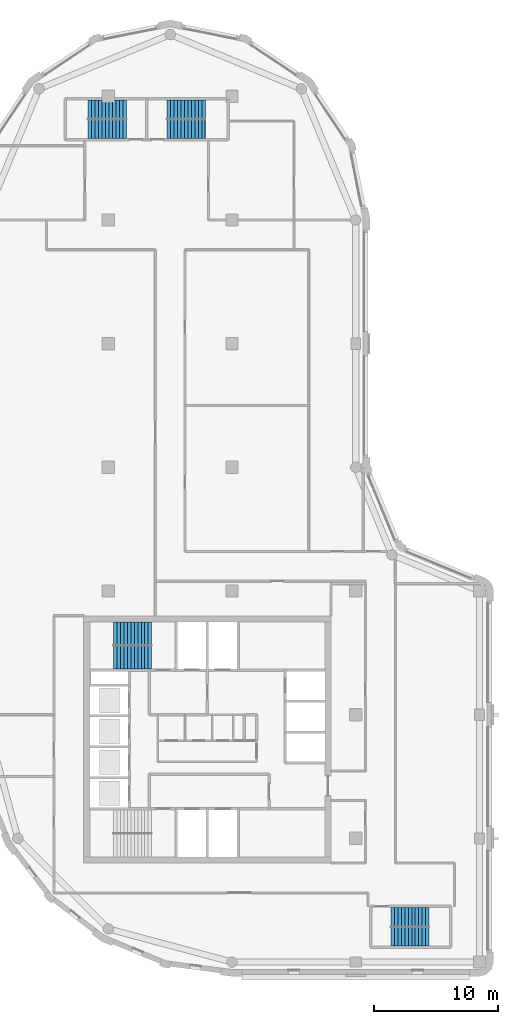
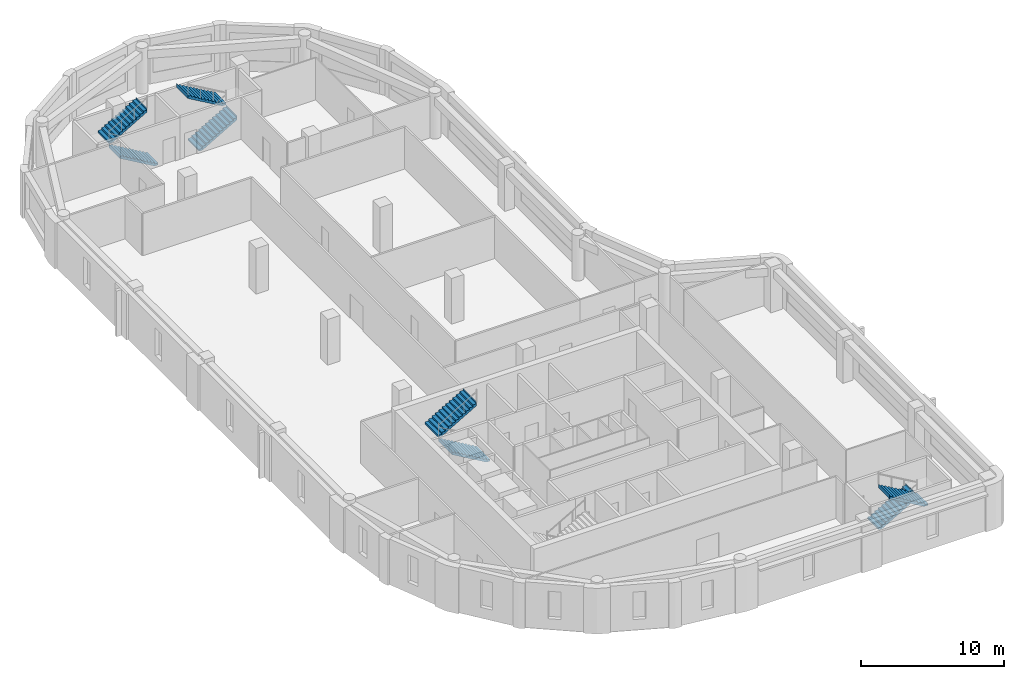
# One storey, part 6 of 8: 8 stair flights, 4 elements without a shape of their own.
"""IFC4 building model written with IfcOpenShell, lengths in metres."""

from ifc_helpers import new_model, si_unit, direction, frame, origin, place, context, subcontext, project, spatial, polyline, outline, extrude, material, type_object, element, aggregate, save


model = new_model("IFC4")

# Units and contexts
model_context = context("Model", 3, precision=1e-05, world=origin(), true_north=direction((0.0, 1.0)))
body_context = subcontext(model_context, "Body", "Model", "MODEL_VIEW")
ifc_project = project(units=[si_unit("LENGTHUNIT", "METRE"), si_unit("AREAUNIT", "SQUARE_METRE"), si_unit("VOLUMEUNIT", "CUBIC_METRE"), si_unit("PLANEANGLEUNIT", "RADIAN"), si_unit("MASSUNIT", "GRAM", prefix="KILO")], contexts=[model_context])

# Site, building, storey
site_placement = place(None, origin())
site = spatial("IfcSite", under=ifc_project, at=site_placement, CompositionType="ELEMENT")
building_placement = place(site_placement, origin())
building = spatial("IfcBuilding", under=site, at=building_placement, Name="Qaws Garden Tower", CompositionType="ELEMENT")
storey_placement = place(building_placement, frame((0.0, 0.0, 345.0)))
storey = spatial("IfcBuildingStorey", under=building, at=storey_placement, Name="L84", CompositionType="ELEMENT", Elevation=345.0)

# Stair, stair flights
ifc_material_1 = material(Name="Concrete C40", Category="concrete")
stair_type_1 = type_object("IfcStairType", Name="Exit stair 1350", PredefinedType="HALF_TURN_STAIR", material=ifc_material_1)
placement = place(storey_placement, origin())
stair_1 = element("IfcStair", 1, at=placement, inside=storey, type_object=stair_type_1, Name="Stair 5", PredefinedType="HALF_TURN_STAIR")
ifc_material_2 = material(Name="Concrete C40", Category="concrete")
stair_flight_type_1 = type_object("IfcStairFlightType", Name="Stair flight 1350", PredefinedType="STRAIGHT", material=ifc_material_2)
stair_flight_1_placement = place(storey_placement, frame((32.85009765625, 3.625, 0.0), z_axis=(0.0, 0.0, 1.0), x_axis=(1.0, 0.0, 0.0)))
stair_flight_1 = element("IfcStairFlight", 2, at=stair_flight_1_placement, type_object=stair_flight_type_1, Name="ST5 flight 1", NumberOfRisers=12, NumberOfTreads=11, PredefinedType="STRAIGHT", RiserHeight=0.1625, TreadLength=0.28, context=body_context, shape_type="SweptSolid", body=[
    extrude(outline(polyline([(-0.0029296875, 0.0), (-0.0029296875, 0.16259765625), (0.0, 0.16259765625), (0.280029296875, 0.16259765625), (0.280029296875, 0.324951171875), (0.56005859375, 0.324951171875), (0.56005859375, 0.487548828125), (0.840087890625, 0.487548828125), (0.840087890625, 0.64990234375), (1.1201171875, 0.64990234375), (1.1201171875, 0.8125), (1.39990234375, 0.8125), (1.39990234375, 0.97509765625), (1.679931640625, 0.97509765625), (1.679931640625, 1.137451171875), (1.9599609375, 1.137451171875), (1.9599609375, 1.300048828125), (2.239990234375, 1.300048828125), (2.239990234375, 1.46240234375), (2.52001953125, 1.46240234375), (2.52001953125, 1.625), (2.800048828125, 1.625), (2.800048828125, 1.78759765625), (3.080078125, 1.78759765625), (3.080078125, 1.949951171875), (3.0830078125, 1.949951171875), (3.0830078125, 1.6142578125), (3.080078125, 1.6142578125), (0.298583984375, 0.0), (-0.0029296875, 0.0)])), frame((0.0, 0.77490234375, 0.0), z_axis=(0.0, -1.0, 0.0), x_axis=(1.0, 0.0, 0.0)), (0.0, 0.0, 1.0), 1.550048828125),
])
stair_flight_2_placement = place(storey_placement, frame((35.929931640625, 2.074951171875, 1.949951171875), z_axis=(0.0, 0.0, 1.0), x_axis=(-1.0, 0.0, 0.0)))
stair_flight_2 = element("IfcStairFlight", 3, at=stair_flight_2_placement, type_object=stair_flight_type_1, Name="ST5 flight 2", NumberOfRisers=12, NumberOfTreads=11, PredefinedType="STRAIGHT", RiserHeight=0.1625, TreadLength=0.28, context=body_context, shape_type="SweptSolid", body=[
    extrude(outline(polyline([(-0.0029296875, 0.0), (-0.0029296875, 0.16259765625), (0.0, 0.16259765625), (0.280029296875, 0.16259765625), (0.280029296875, 0.324951171875), (0.56005859375, 0.324951171875), (0.56005859375, 0.487548828125), (0.840087890625, 0.487548828125), (0.840087890625, 0.64990234375), (1.1201171875, 0.64990234375), (1.1201171875, 0.8125), (1.39990234375, 0.8125), (1.39990234375, 0.97509765625), (1.679931640625, 0.97509765625), (1.679931640625, 1.137451171875), (1.9599609375, 1.137451171875), (1.9599609375, 1.300048828125), (2.239990234375, 1.300048828125), (2.239990234375, 1.46240234375), (2.52001953125, 1.46240234375), (2.52001953125, 1.625), (2.800048828125, 1.625), (2.800048828125, 1.78759765625), (3.080078125, 1.78759765625), (3.080078125, 1.949951171875), (3.0830078125, 1.949951171875), (3.0830078125, 1.6142578125), (3.080078125, 1.6142578125), (0.298583984375, 0.0), (-0.0029296875, 0.0)])), frame((0.0, 0.77490234375, 0.0), z_axis=(0.0, -1.0, 0.0), x_axis=(1.0, 0.0, 0.0)), (0.0, 0.0, 1.0), 1.550048828125),
])
aggregate(stair_1, [stair_flight_1, stair_flight_2])

stair_2 = element("IfcStair", 4, at=placement, inside=storey, type_object=stair_type_1, Name="Stair 6", PredefinedType="HALF_TURN_STAIR")
stair_flight_3_placement = place(storey_placement, frame((11.449951171875, 67.375, 0.0), z_axis=(0.0, 0.0, 1.0), x_axis=(-1.0, 0.0, 0.0)))
stair_flight_3 = element("IfcStairFlight", 5, at=stair_flight_3_placement, type_object=stair_flight_type_1, Name="ST6 flight 1", NumberOfRisers=12, NumberOfTreads=11, PredefinedType="STRAIGHT", RiserHeight=0.1625, TreadLength=0.28, context=body_context, shape_type="SweptSolid", body=[
    extrude(outline(polyline([(-0.0029296875, 0.0), (-0.0029296875, 0.16259765625), (0.0, 0.16259765625), (0.280029296875, 0.16259765625), (0.280029296875, 0.324951171875), (0.56005859375, 0.324951171875), (0.56005859375, 0.487548828125), (0.840087890625, 0.487548828125), (0.840087890625, 0.64990234375), (1.1201171875, 0.64990234375), (1.1201171875, 0.8125), (1.39990234375, 0.8125), (1.39990234375, 0.97509765625), (1.679931640625, 0.97509765625), (1.679931640625, 1.137451171875), (1.9599609375, 1.137451171875), (1.9599609375, 1.300048828125), (2.239990234375, 1.300048828125), (2.239990234375, 1.46240234375), (2.52001953125, 1.46240234375), (2.52001953125, 1.625), (2.800048828125, 1.625), (2.800048828125, 1.78759765625), (3.080078125, 1.78759765625), (3.080078125, 1.949951171875), (3.0830078125, 1.949951171875), (3.0830078125, 1.6142578125), (3.080078125, 1.6142578125), (0.298583984375, 0.0), (-0.0029296875, 0.0)])), frame((0.0, 0.77490234375, 0.0), z_axis=(0.0, -1.0, 0.0), x_axis=(1.0, 0.0, 0.0)), (0.0, 0.0, 1.0), 1.550048828125),
])
stair_flight_4_placement = place(storey_placement, frame((8.3701171875, 68.925048828125, 1.949951171875), z_axis=(0.0, 0.0, 1.0), x_axis=(1.0, 0.0, 0.0)))
stair_flight_4 = element("IfcStairFlight", 6, at=stair_flight_4_placement, type_object=stair_flight_type_1, Name="ST6 flight 2", NumberOfRisers=12, NumberOfTreads=11, PredefinedType="STRAIGHT", RiserHeight=0.1625, TreadLength=0.28, context=body_context, shape_type="SweptSolid", body=[
    extrude(outline(polyline([(-0.0029296875, 0.0), (-0.0029296875, 0.16259765625), (0.0, 0.16259765625), (0.280029296875, 0.16259765625), (0.280029296875, 0.324951171875), (0.56005859375, 0.324951171875), (0.56005859375, 0.487548828125), (0.840087890625, 0.487548828125), (0.840087890625, 0.64990234375), (1.1201171875, 0.64990234375), (1.1201171875, 0.8125), (1.39990234375, 0.8125), (1.39990234375, 0.97509765625), (1.679931640625, 0.97509765625), (1.679931640625, 1.137451171875), (1.9599609375, 1.137451171875), (1.9599609375, 1.300048828125), (2.239990234375, 1.300048828125), (2.239990234375, 1.46240234375), (2.52001953125, 1.46240234375), (2.52001953125, 1.625), (2.800048828125, 1.625), (2.800048828125, 1.78759765625), (3.080078125, 1.78759765625), (3.080078125, 1.949951171875), (3.0830078125, 1.949951171875), (3.0830078125, 1.6142578125), (3.080078125, 1.6142578125), (0.298583984375, 0.0), (-0.0029296875, 0.0)])), frame((0.0, 0.77490234375, 0.0), z_axis=(0.0, -1.0, 0.0), x_axis=(1.0, 0.0, 0.0)), (0.0, 0.0, 1.0), 1.550048828125),
])
aggregate(stair_2, [stair_flight_3, stair_flight_4])

stair_3 = element("IfcStair", 7, at=placement, inside=storey, type_object=stair_type_1, Name="Stair 7", PredefinedType="HALF_TURN_STAIR")
stair_flight_5_placement = place(storey_placement, frame((14.75, 67.375, 0.0), z_axis=(0.0, 0.0, 1.0), x_axis=(1.0, 0.0, 0.0)))
stair_flight_5 = element("IfcStairFlight", 8, at=stair_flight_5_placement, type_object=stair_flight_type_1, Name="ST7 flight 1", NumberOfRisers=12, NumberOfTreads=11, PredefinedType="STRAIGHT", RiserHeight=0.1625, TreadLength=0.28, context=body_context, shape_type="SweptSolid", body=[
    extrude(outline(polyline([(-0.0029296875, 0.0), (-0.0029296875, 0.16259765625), (0.0, 0.16259765625), (0.280029296875, 0.16259765625), (0.280029296875, 0.324951171875), (0.56005859375, 0.324951171875), (0.56005859375, 0.487548828125), (0.840087890625, 0.487548828125), (0.840087890625, 0.64990234375), (1.1201171875, 0.64990234375), (1.1201171875, 0.8125), (1.39990234375, 0.8125), (1.39990234375, 0.97509765625), (1.679931640625, 0.97509765625), (1.679931640625, 1.137451171875), (1.9599609375, 1.137451171875), (1.9599609375, 1.300048828125), (2.239990234375, 1.300048828125), (2.239990234375, 1.46240234375), (2.52001953125, 1.46240234375), (2.52001953125, 1.625), (2.800048828125, 1.625), (2.800048828125, 1.78759765625), (3.080078125, 1.78759765625), (3.080078125, 1.949951171875), (3.0830078125, 1.949951171875), (3.0830078125, 1.6142578125), (3.080078125, 1.6142578125), (0.298583984375, 0.0), (-0.0029296875, 0.0)])), frame((0.0, 0.77490234375, 0.0), z_axis=(0.0, -1.0, 0.0), x_axis=(1.0, 0.0, 0.0)), (0.0, 0.0, 1.0), 1.550048828125),
])
stair_flight_6_placement = place(storey_placement, frame((17.830078125, 68.925048828125, 1.949951171875), z_axis=(0.0, 0.0, 1.0), x_axis=(-1.0, 0.0, 0.0)))
stair_flight_6 = element("IfcStairFlight", 9, at=stair_flight_6_placement, type_object=stair_flight_type_1, Name="ST7 flight 2", NumberOfRisers=12, NumberOfTreads=11, PredefinedType="STRAIGHT", RiserHeight=0.1625, TreadLength=0.28, context=body_context, shape_type="SweptSolid", body=[
    extrude(outline(polyline([(-0.0029296875, 0.0), (-0.0029296875, 0.16259765625), (0.0, 0.16259765625), (0.280029296875, 0.16259765625), (0.280029296875, 0.324951171875), (0.56005859375, 0.324951171875), (0.56005859375, 0.487548828125), (0.840087890625, 0.487548828125), (0.840087890625, 0.64990234375), (1.1201171875, 0.64990234375), (1.1201171875, 0.8125), (1.39990234375, 0.8125), (1.39990234375, 0.97509765625), (1.679931640625, 0.97509765625), (1.679931640625, 1.137451171875), (1.9599609375, 1.137451171875), (1.9599609375, 1.300048828125), (2.239990234375, 1.300048828125), (2.239990234375, 1.46240234375), (2.52001953125, 1.46240234375), (2.52001953125, 1.625), (2.800048828125, 1.625), (2.800048828125, 1.78759765625), (3.080078125, 1.78759765625), (3.080078125, 1.949951171875), (3.0830078125, 1.949951171875), (3.0830078125, 1.6142578125), (3.080078125, 1.6142578125), (0.298583984375, 0.0), (-0.0029296875, 0.0)])), frame((0.0, 0.77490234375, 0.0), z_axis=(0.0, -1.0, 0.0), x_axis=(1.0, 0.0, 0.0)), (0.0, 0.0, 1.0), 1.550048828125),
])
aggregate(stair_3, [stair_flight_5, stair_flight_6])

ifc_material_3 = material(Name="Concrete C40", Category="concrete")
stair_type_2 = type_object("IfcStairType", Name="Exit stair 1500", PredefinedType="HALF_TURN_STAIR", material=ifc_material_3)
stair_4 = element("IfcStair", 10, at=placement, inside=storey, type_object=stair_type_2, Name="Stair 4", PredefinedType="HALF_TURN_STAIR")
ifc_material_4 = material(Name="Concrete C40", Category="concrete")
stair_flight_type_2 = type_object("IfcStairFlightType", Name="Stair flight 1500", PredefinedType="STRAIGHT", material=ifc_material_4)
stair_flight_7_placement = place(storey_placement, frame((13.5, 24.64990234375, 0.0), z_axis=(0.0, 0.0, 1.0), x_axis=(-1.0, 0.0, 0.0)))
stair_flight_7 = element("IfcStairFlight", 11, at=stair_flight_7_placement, type_object=stair_flight_type_2, Name="ST4 flight 1", NumberOfRisers=12, NumberOfTreads=11, PredefinedType="STRAIGHT", RiserHeight=0.1625, TreadLength=0.28, context=body_context, shape_type="SweptSolid", body=[
    extrude(outline(polyline([(-0.0029296875, 0.0), (-0.0029296875, 0.16259765625), (0.0, 0.16259765625), (0.280029296875, 0.16259765625), (0.280029296875, 0.324951171875), (0.56005859375, 0.324951171875), (0.56005859375, 0.487548828125), (0.840087890625, 0.487548828125), (0.840087890625, 0.64990234375), (1.1201171875, 0.64990234375), (1.1201171875, 0.8125), (1.39990234375, 0.8125), (1.39990234375, 0.97509765625), (1.679931640625, 0.97509765625), (1.679931640625, 1.137451171875), (1.9599609375, 1.137451171875), (1.9599609375, 1.300048828125), (2.239990234375, 1.300048828125), (2.239990234375, 1.46240234375), (2.52001953125, 1.46240234375), (2.52001953125, 1.625), (2.800048828125, 1.625), (2.800048828125, 1.78759765625), (3.080078125, 1.78759765625), (3.080078125, 1.949951171875), (3.0830078125, 1.949951171875), (3.0830078125, 1.6142578125), (3.080078125, 1.6142578125), (0.298583984375, 0.0), (-0.0029296875, 0.0)])), frame((0.0, 0.94482421875, 0.0), z_axis=(0.0, -1.0, 0.0), x_axis=(1.0, 0.0, 0.0)), (0.0, 0.0, 1.0), 1.889892578125),
])
stair_flight_8_placement = place(storey_placement, frame((10.419921875, 26.550048828125, 1.949951171875), z_axis=(0.0, 0.0, 1.0), x_axis=(1.0, 0.0, 0.0)))
stair_flight_8 = element("IfcStairFlight", 12, at=stair_flight_8_placement, type_object=stair_flight_type_2, Name="ST4 flight 2", NumberOfRisers=12, NumberOfTreads=11, PredefinedType="STRAIGHT", RiserHeight=0.1625, TreadLength=0.28, context=body_context, shape_type="SweptSolid", body=[
    extrude(outline(polyline([(-0.0029296875, 0.0), (-0.0029296875, 0.16259765625), (0.0, 0.16259765625), (0.280029296875, 0.16259765625), (0.280029296875, 0.324951171875), (0.56005859375, 0.324951171875), (0.56005859375, 0.487548828125), (0.840087890625, 0.487548828125), (0.840087890625, 0.64990234375), (1.1201171875, 0.64990234375), (1.1201171875, 0.8125), (1.39990234375, 0.8125), (1.39990234375, 0.97509765625), (1.679931640625, 0.97509765625), (1.679931640625, 1.137451171875), (1.9599609375, 1.137451171875), (1.9599609375, 1.300048828125), (2.239990234375, 1.300048828125), (2.239990234375, 1.46240234375), (2.52001953125, 1.46240234375), (2.52001953125, 1.625), (2.800048828125, 1.625), (2.800048828125, 1.78759765625), (3.080078125, 1.78759765625), (3.080078125, 1.949951171875), (3.0830078125, 1.949951171875), (3.0830078125, 1.6142578125), (3.080078125, 1.6142578125), (0.298583984375, 0.0), (-0.0029296875, 0.0)])), frame((0.0, 0.94482421875, 0.0), z_axis=(0.0, -1.0, 0.0), x_axis=(1.0, 0.0, 0.0)), (0.0, 0.0, 1.0), 1.889892578125),
])
aggregate(stair_4, [stair_flight_7, stair_flight_8])

save(model, "model.ifc")
